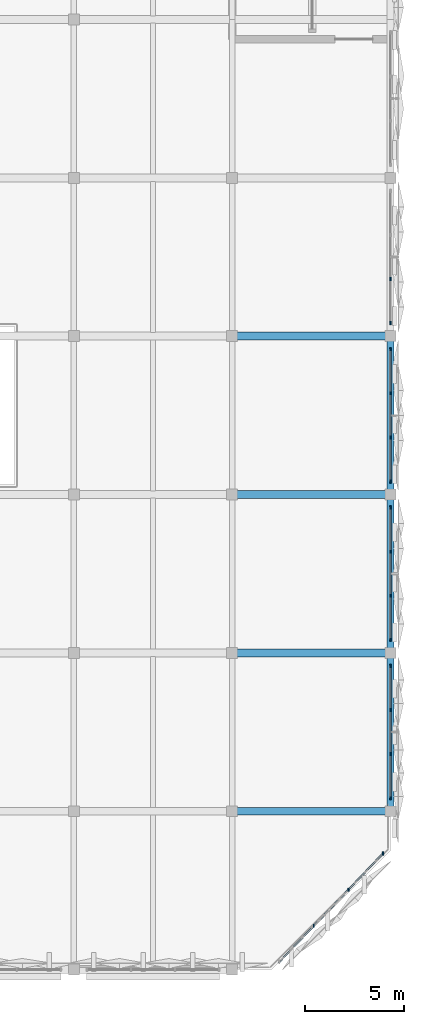
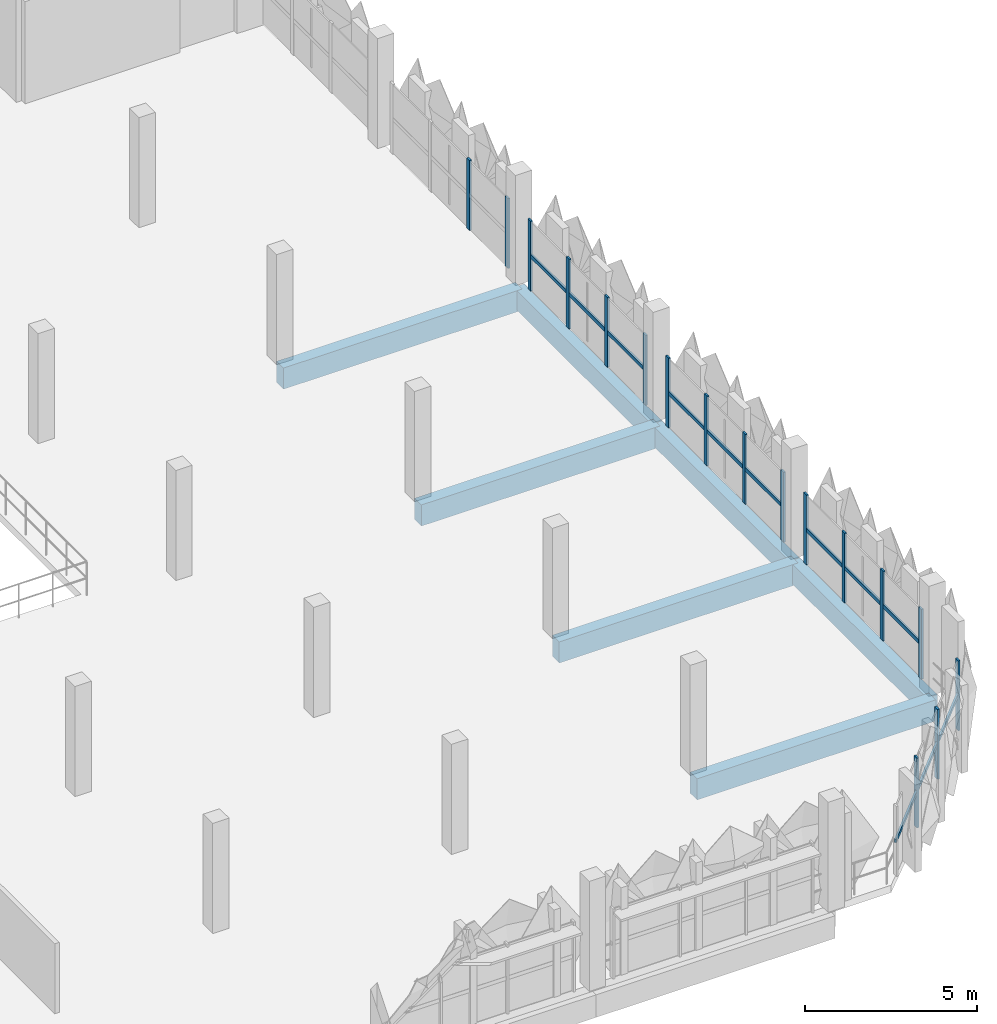
# One storey, part 26 of 96: 21 members, 7 beams, 5 elements without a shape of their own.
"""IFC4 building model written with IfcOpenShell, lengths in metres."""

from ifc_helpers import new_model, si_unit, derived_unit, direction, frame, origin, origin_2d, place, context, subcontext, project, spatial, rectangle, extrude, material, layer, layer_set, material_profile, profile_set, type_object, element, aggregate, save


model = new_model("IFC4")

# Units and contexts
model_context = context("Model", 3, precision=1e-05, world=origin(), true_north=direction((0.0, 1.0)))
body_context = subcontext(model_context, "Body", "Model", "MODEL_VIEW")
ifc_project = project(units=[si_unit("LENGTHUNIT", "METRE"), si_unit("AREAUNIT", "SQUARE_METRE"), si_unit("VOLUMEUNIT", "CUBIC_METRE"), si_unit("PLANEANGLEUNIT", "RADIAN"), si_unit("MASSUNIT", "GRAM", prefix="KILO"), si_unit("THERMODYNAMICTEMPERATUREUNIT", "KELVIN"), derived_unit("THERMALTRANSMITTANCEUNIT", [(si_unit("POWERUNIT", "WATT"), 1), (si_unit("AREAUNIT", "SQUARE_METRE"), -1), (si_unit("THERMODYNAMICTEMPERATUREUNIT", "KELVIN"), -1)])], contexts=[model_context])

# Site, building, storey
site_placement = place(None, origin())
site = spatial("IfcSite", under=ifc_project, at=site_placement, CompositionType="ELEMENT")
building_placement = place(site_placement, origin())
building = spatial("IfcBuilding", under=site, at=building_placement, Name="Haiyu Intermodal Mobility Hub", CompositionType="ELEMENT")
storey_placement = place(building_placement, frame((0.0, 0.0, 9.5)))
storey = spatial("IfcBuildingStorey", under=building, at=storey_placement, Name="L02", CompositionType="ELEMENT", Elevation=9.5)

# Beams
ifc_material_1 = material(Name="Concrete C40", Category="concrete")
ifc_material_profile_1 = material_profile(ifc_material_1, rectangle(XDim=0.39990234375, YDim=0.75, at=origin_2d()), Name="RCB400x750")
ifc_profile_set_1 = profile_set([ifc_material_profile_1], Name="Concrete C40")
beam_type_1 = type_object("IfcBeamType", Name="BM-CB03", PredefinedType="BEAM", material=ifc_profile_set_1)
for number, where, z_axis, x_axis, name in (
    (1, (202.0, 24.0, -0.635009765625), (1.0, 0.0, 0.0), (0.0, 1.0, 0.0), "BM-V5G-L02-013"),
    (2, (202.0, 32.0, -0.635009765625), (1.0, 0.0, 0.0), (0.0, 1.0, 0.0), "BM-V5G-L02-020"),
    (3, (202.0, 40.0, -0.635009765625), (1.0, 0.0, 0.0), (0.0, 1.0, 0.0), "BM-V5G-L02-027"),
    (4, (202.0, 48.0, -0.635009765625), (1.0, 0.0, 0.0), (0.0, 1.0, 0.0), "BM-V5G-L02-034"),
):
    element("IfcBeam", number, at=place(storey_placement, frame(where, z_axis=z_axis, x_axis=x_axis)), inside=storey, type_object=beam_type_1, Name=name, PredefinedType="BEAM", context=body_context, shape_type="SweptSolid", body=[
        extrude(rectangle(XDim=0.39990234375, YDim=0.75, at=origin_2d()), origin(), (0.0, 0.0, 1.0), 8.0),
    ])
ifc_material_profile_2 = material_profile(ifc_material_1, rectangle(XDim=0.35009765625, YDim=0.699951171875, at=origin_2d()), Name="RCB350x700")
ifc_profile_set_2 = profile_set([ifc_material_profile_2], Name="Concrete C40")
beam_type_2 = type_object("IfcBeamType", Name="BM-CB06", PredefinedType="BEAM", material=ifc_profile_set_2)
for number, where, z_axis, x_axis, name in (
    (5, (210.0, 24.0, -0.610107421875), (0.0, 1.0, 0.0), (-1.0, 0.0, 0.0), "BM-V5T-L02-057"),
    (6, (210.0, 32.0, -0.610107421875), (0.0, 1.0, 0.0), (-1.0, 0.0, 0.0), "BM-V5T-L02-058"),
    (7, (210.0, 40.0, -0.610107421875), (0.0, 1.0, 0.0), (-1.0, 0.0, 0.0), "BM-V5T-L02-059"),
):
    element("IfcBeam", number, at=place(storey_placement, frame(where, z_axis=z_axis, x_axis=x_axis)), inside=storey, type_object=beam_type_2, Name=name, PredefinedType="BEAM", context=body_context, shape_type="SweptSolid", body=[
        extrude(rectangle(XDim=0.35009765625, YDim=0.699951171875, at=origin_2d()), origin(), (0.0, 0.0, 1.0), 8.0),
    ])

# Curtain wall, members
ifc_material_2 = material(Name="Low-e laminated insulating glass", Category="glass")
ifc_layer = layer(ifc_material_2, 0.2099609375)
ifc_layer_set = layer_set([ifc_layer], Name="Low-e laminated insulating glass")
curtain_wall_type = type_object("IfcCurtainWallType", Name="CW-CW04", PredefinedType="NOTDEFINED", material=ifc_layer_set)
curtain_wall_1_placement = place(storey_placement, origin())
curtain_wall_1 = element("IfcCurtainWall", 8, at=curtain_wall_1_placement, inside=storey, type_object=curtain_wall_type, Name="Curtain Wall CW-V5E-L02-111", PredefinedType="NOTDEFINED")
ifc_material_3 = material(Name="Anodised aluminium 6063-T6", Category="aluminium")
ifc_material_profile_3 = material_profile(ifc_material_3, rectangle(XDim=0.06494140625, YDim=0.1650390625, at=origin_2d()), Name="ALU65x165")
ifc_profile_set_3 = profile_set([ifc_material_profile_3], Name="Anodised aluminium 6063-T6")
member_type_1 = type_object("IfcMemberType", Name="CWM-ML02", PredefinedType="MULLION", material=ifc_profile_set_3)
member_1_placement = place(storey_placement, frame((210.0, 24.659912109375, 0.0), z_axis=(0.0, 0.0, 1.0), x_axis=(1.0, 0.0, 0.0)))
member_1 = element("IfcMember", 9, at=member_1_placement, type_object=member_type_1, Name="CW-V5E-L02-111-ML01", PredefinedType="MULLION", context=body_context, shape_type="SweptSolid", body=[
    extrude(rectangle(XDim=0.06494140625, YDim=0.1650390625, at=origin_2d()), origin(), (0.0, 0.0, 1.0), 2.47998046875),
])
member_2_placement = place(storey_placement, frame((210.0, 26.886962890625, 0.0), z_axis=(0.0, 0.0, 1.0), x_axis=(1.0, 0.0, 0.0)))
member_2 = element("IfcMember", 10, at=member_2_placement, type_object=member_type_1, Name="CW-V5E-L02-111-ML02", PredefinedType="MULLION", context=body_context, shape_type="SweptSolid", body=[
    extrude(rectangle(XDim=0.06494140625, YDim=0.1650390625, at=origin_2d()), origin(), (0.0, 0.0, 1.0), 2.47998046875),
])
member_3_placement = place(storey_placement, frame((210.0, 29.113037109375, 0.0), z_axis=(0.0, 0.0, 1.0), x_axis=(1.0, 0.0, 0.0)))
member_3 = element("IfcMember", 11, at=member_3_placement, type_object=member_type_1, Name="CW-V5E-L02-111-ML03", PredefinedType="MULLION", context=body_context, shape_type="SweptSolid", body=[
    extrude(rectangle(XDim=0.06494140625, YDim=0.1650390625, at=origin_2d()), origin(), (0.0, 0.0, 1.0), 2.47998046875),
])
member_4_placement = place(storey_placement, frame((210.0, 31.340087890625, 0.0), z_axis=(0.0, 0.0, 1.0), x_axis=(1.0, 0.0, 0.0)))
member_4 = element("IfcMember", 12, at=member_4_placement, type_object=member_type_1, Name="CW-V5E-L02-111-ML04", PredefinedType="MULLION", context=body_context, shape_type="SweptSolid", body=[
    extrude(rectangle(XDim=0.06494140625, YDim=0.1650390625, at=origin_2d()), origin(), (0.0, 0.0, 1.0), 2.47998046875),
])

curtain_wall_2_placement = place(storey_placement, origin())
curtain_wall_2 = element("IfcCurtainWall", 13, at=curtain_wall_2_placement, inside=storey, type_object=curtain_wall_type, Name="Curtain Wall CW-V5E-L02-112", PredefinedType="NOTDEFINED")
member_5_placement = place(storey_placement, frame((210.0, 32.659912109375, 0.0), z_axis=(0.0, 0.0, 1.0), x_axis=(1.0, 0.0, 0.0)))
member_5 = element("IfcMember", 14, at=member_5_placement, type_object=member_type_1, Name="CW-V5E-L02-112-ML01", PredefinedType="MULLION", context=body_context, shape_type="SweptSolid", body=[
    extrude(rectangle(XDim=0.06494140625, YDim=0.1650390625, at=origin_2d()), origin(), (0.0, 0.0, 1.0), 2.47998046875),
])
member_6_placement = place(storey_placement, frame((210.0, 34.886962890625, 0.0), z_axis=(0.0, 0.0, 1.0), x_axis=(1.0, 0.0, 0.0)))
member_6 = element("IfcMember", 15, at=member_6_placement, type_object=member_type_1, Name="CW-V5E-L02-112-ML02", PredefinedType="MULLION", context=body_context, shape_type="SweptSolid", body=[
    extrude(rectangle(XDim=0.06494140625, YDim=0.1650390625, at=origin_2d()), origin(), (0.0, 0.0, 1.0), 2.47998046875),
])
member_7_placement = place(storey_placement, frame((210.0, 37.113037109375, 0.0), z_axis=(0.0, 0.0, 1.0), x_axis=(1.0, 0.0, 0.0)))
member_7 = element("IfcMember", 16, at=member_7_placement, type_object=member_type_1, Name="CW-V5E-L02-112-ML03", PredefinedType="MULLION", context=body_context, shape_type="SweptSolid", body=[
    extrude(rectangle(XDim=0.06494140625, YDim=0.1650390625, at=origin_2d()), origin(), (0.0, 0.0, 1.0), 2.47998046875),
])
member_8_placement = place(storey_placement, frame((210.0, 39.340087890625, 0.0), z_axis=(0.0, 0.0, 1.0), x_axis=(1.0, 0.0, 0.0)))
member_8 = element("IfcMember", 17, at=member_8_placement, type_object=member_type_1, Name="CW-V5E-L02-112-ML04", PredefinedType="MULLION", context=body_context, shape_type="SweptSolid", body=[
    extrude(rectangle(XDim=0.06494140625, YDim=0.1650390625, at=origin_2d()), origin(), (0.0, 0.0, 1.0), 2.47998046875),
])

curtain_wall_3_placement = place(storey_placement, origin())
curtain_wall_3 = element("IfcCurtainWall", 18, at=curtain_wall_3_placement, inside=storey, type_object=curtain_wall_type, Name="Curtain Wall CW-V5E-L02-113", PredefinedType="NOTDEFINED")
member_9_placement = place(storey_placement, frame((210.0, 40.659912109375, 0.0), z_axis=(0.0, 0.0, 1.0), x_axis=(1.0, 0.0, 0.0)))
member_9 = element("IfcMember", 19, at=member_9_placement, type_object=member_type_1, Name="CW-V5E-L02-113-ML01", PredefinedType="MULLION", context=body_context, shape_type="SweptSolid", body=[
    extrude(rectangle(XDim=0.06494140625, YDim=0.1650390625, at=origin_2d()), origin(), (0.0, 0.0, 1.0), 2.47998046875),
])
member_10_placement = place(storey_placement, frame((210.0, 42.886962890625, 0.0), z_axis=(0.0, 0.0, 1.0), x_axis=(1.0, 0.0, 0.0)))
member_10 = element("IfcMember", 20, at=member_10_placement, type_object=member_type_1, Name="CW-V5E-L02-113-ML02", PredefinedType="MULLION", context=body_context, shape_type="SweptSolid", body=[
    extrude(rectangle(XDim=0.06494140625, YDim=0.1650390625, at=origin_2d()), origin(), (0.0, 0.0, 1.0), 2.47998046875),
])
member_11_placement = place(storey_placement, frame((210.0, 45.113037109375, 0.0), z_axis=(0.0, 0.0, 1.0), x_axis=(1.0, 0.0, 0.0)))
member_11 = element("IfcMember", 21, at=member_11_placement, type_object=member_type_1, Name="CW-V5E-L02-113-ML03", PredefinedType="MULLION", context=body_context, shape_type="SweptSolid", body=[
    extrude(rectangle(XDim=0.06494140625, YDim=0.1650390625, at=origin_2d()), origin(), (0.0, 0.0, 1.0), 2.47998046875),
])
member_12_placement = place(storey_placement, frame((210.0, 47.340087890625, 0.0), z_axis=(0.0, 0.0, 1.0), x_axis=(1.0, 0.0, 0.0)))
member_12 = element("IfcMember", 22, at=member_12_placement, type_object=member_type_1, Name="CW-V5E-L02-113-ML04", PredefinedType="MULLION", context=body_context, shape_type="SweptSolid", body=[
    extrude(rectangle(XDim=0.06494140625, YDim=0.1650390625, at=origin_2d()), origin(), (0.0, 0.0, 1.0), 2.47998046875),
])

curtain_wall_4_placement = place(storey_placement, origin())
curtain_wall_4 = element("IfcCurtainWall", 23, at=curtain_wall_4_placement, inside=storey, type_object=curtain_wall_type, Name="Curtain Wall CW-V5E-L02-114", PredefinedType="NOTDEFINED")
member_13_placement = place(storey_placement, frame((210.0, 48.659912109375, 0.0), z_axis=(0.0, 0.0, 1.0), x_axis=(1.0, 0.0, 0.0)))
member_13 = element("IfcMember", 24, at=member_13_placement, type_object=member_type_1, Name="CW-V5E-L02-114-ML01", PredefinedType="MULLION", context=body_context, shape_type="SweptSolid", body=[
    extrude(rectangle(XDim=0.06494140625, YDim=0.1650390625, at=origin_2d()), origin(), (0.0, 0.0, 1.0), 2.47998046875),
])
member_14_placement = place(storey_placement, frame((210.0, 50.886962890625, 0.0), z_axis=(0.0, 0.0, 1.0), x_axis=(1.0, 0.0, 0.0)))
member_14 = element("IfcMember", 25, at=member_14_placement, type_object=member_type_1, Name="CW-V5E-L02-114-ML02", PredefinedType="MULLION", context=body_context, shape_type="SweptSolid", body=[
    extrude(rectangle(XDim=0.06494140625, YDim=0.1650390625, at=origin_2d()), origin(), (0.0, 0.0, 1.0), 2.47998046875),
])
aggregate(curtain_wall_4, [member_13, member_14])

curtain_wall_5_placement = place(storey_placement, origin())
curtain_wall_5 = element("IfcCurtainWall", 26, at=curtain_wall_5_placement, inside=storey, type_object=curtain_wall_type, Name="Curtain Wall CW-V5CH-L02-180", PredefinedType="NOTDEFINED")
member_15_placement = place(storey_placement, frame((206.1259765625, 18.2099609375, 0.0), z_axis=(0.0, 0.0, 1.0), x_axis=(1.0, 0.0, 0.0)))
member_15 = element("IfcMember", 27, at=member_15_placement, type_object=member_type_1, Name="CW-V5CH-L02-180-ML02", PredefinedType="MULLION", context=body_context, shape_type="SweptSolid", body=[
    extrude(rectangle(XDim=0.06494140625, YDim=0.1650390625, at=origin_2d()), origin(), (0.0, 0.0, 1.0), 2.47998046875),
])
member_16_placement = place(storey_placement, frame((207.8740234375, 20.0400390625, 0.0), z_axis=(0.0, 0.0, 1.0), x_axis=(1.0, 0.0, 0.0)))
member_16 = element("IfcMember", 28, at=member_16_placement, type_object=member_type_1, Name="CW-V5CH-L02-180-ML03", PredefinedType="MULLION", context=body_context, shape_type="SweptSolid", body=[
    extrude(rectangle(XDim=0.06494140625, YDim=0.1650390625, at=origin_2d()), origin(), (0.0, 0.0, 1.0), 2.47998046875),
])
member_17_placement = place(storey_placement, frame((209.6220703125, 21.87109375, 0.0), z_axis=(0.0, 0.0, 1.0), x_axis=(1.0, 0.0, 0.0)))
member_17 = element("IfcMember", 29, at=member_17_placement, type_object=member_type_1, Name="CW-V5CH-L02-180-ML04", PredefinedType="MULLION", context=body_context, shape_type="SweptSolid", body=[
    extrude(rectangle(XDim=0.06494140625, YDim=0.1650390625, at=origin_2d()), origin(), (0.0, 0.0, 1.0), 2.47998046875),
])

# Member
ifc_material_profile_4 = material_profile(ifc_material_3, rectangle(XDim=0.06494140625, YDim=0.135009765625, at=origin_2d()), Name="ALU65x135")
ifc_profile_set_4 = profile_set([ifc_material_profile_4], Name="Anodised aluminium 6063-T6")
member_type_2 = type_object("IfcMemberType", Name="CWM-TR02", PredefinedType="USERDEFINED", material=ifc_profile_set_4)
member_18_placement = place(storey_placement, frame((210.0, 24.6201171875, 1.239990234375), z_axis=(0.0, 1.0, 0.0), x_axis=(-1.0, 0.0, 0.0)))
member_18 = element("IfcMember", 30, at=member_18_placement, type_object=member_type_2, Name="CW-V5E-L02-111-TR01", ObjectType="TRANSOM", PredefinedType="USERDEFINED", context=body_context, shape_type="SweptSolid", body=[
    extrude(rectangle(XDim=0.06494140625, YDim=0.135009765625, at=origin_2d()), origin(), (0.0, 0.0, 1.0), 6.759765625),
])

aggregate(curtain_wall_1, [member_1, member_2, member_3, member_4, member_18])

member_19_placement = place(storey_placement, frame((210.0, 32.6201171875, 1.239990234375), z_axis=(0.0, 1.0, 0.0), x_axis=(-1.0, 0.0, 0.0)))
member_19 = element("IfcMember", 31, at=member_19_placement, type_object=member_type_2, Name="CW-V5E-L02-112-TR01", ObjectType="TRANSOM", PredefinedType="USERDEFINED", context=body_context, shape_type="SweptSolid", body=[
    extrude(rectangle(XDim=0.06494140625, YDim=0.135009765625, at=origin_2d()), origin(), (0.0, 0.0, 1.0), 6.759765625),
])

aggregate(curtain_wall_2, [member_5, member_6, member_7, member_8, member_19])

member_20_placement = place(storey_placement, frame((210.0, 40.6201171875, 1.239990234375), z_axis=(0.0, 1.0, 0.0), x_axis=(-1.0, 0.0, 0.0)))
member_20 = element("IfcMember", 32, at=member_20_placement, type_object=member_type_2, Name="CW-V5E-L02-113-TR01", ObjectType="TRANSOM", PredefinedType="USERDEFINED", context=body_context, shape_type="SweptSolid", body=[
    extrude(rectangle(XDim=0.06494140625, YDim=0.135009765625, at=origin_2d()), origin(), (0.0, 0.0, 1.0), 6.759765625),
])

aggregate(curtain_wall_3, [member_9, member_10, member_11, member_12, member_20])

member_21_placement = place(storey_placement, frame((204.35009765625, 16.35009765625, 1.239990234375), z_axis=(0.690630091683, 0.723208183349, 0.0), x_axis=(-0.723208183349, 0.690630091683, 0.0)))
member_21 = element("IfcMember", 33, at=member_21_placement, type_object=member_type_2, Name="CW-V5CH-L02-180-TR01", ObjectType="TRANSOM", PredefinedType="USERDEFINED", context=body_context, shape_type="SweptSolid", body=[
    extrude(rectangle(XDim=0.06494140625, YDim=0.135009765625, at=origin_2d()), origin(), (0.0, 0.0, 1.0), 7.673828125),
])

aggregate(curtain_wall_5, [member_15, member_16, member_17, member_21])

save(model, "model.ifc")
